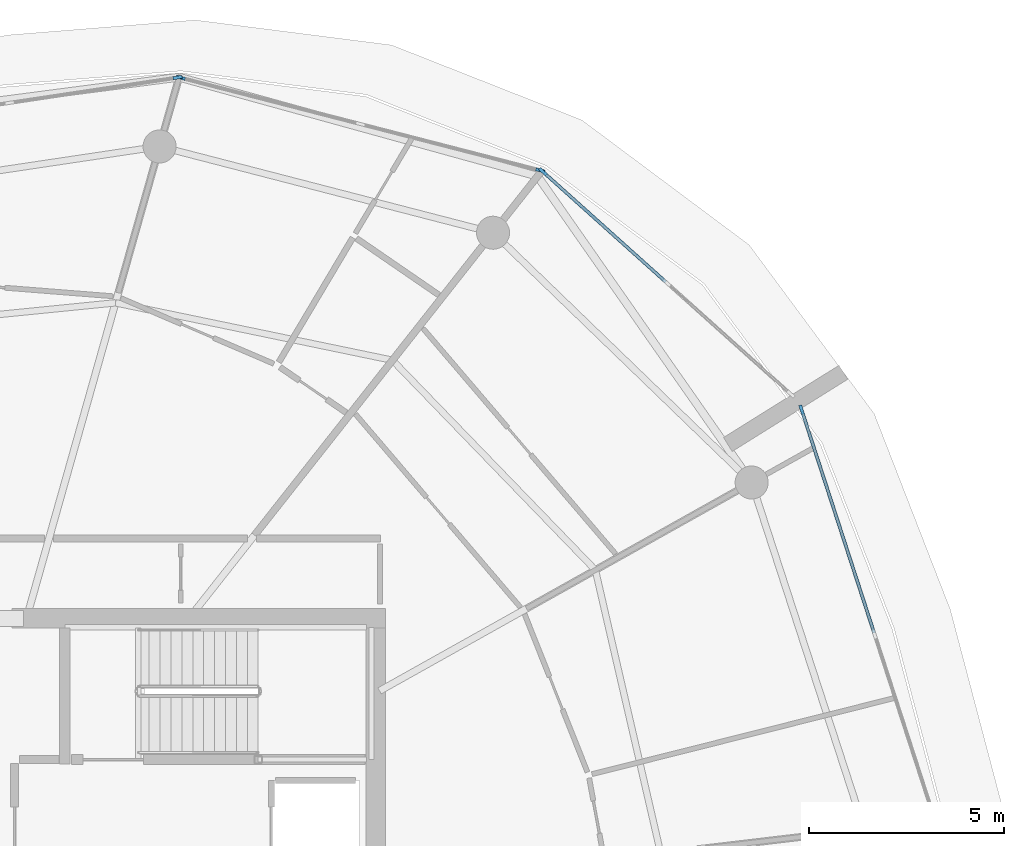
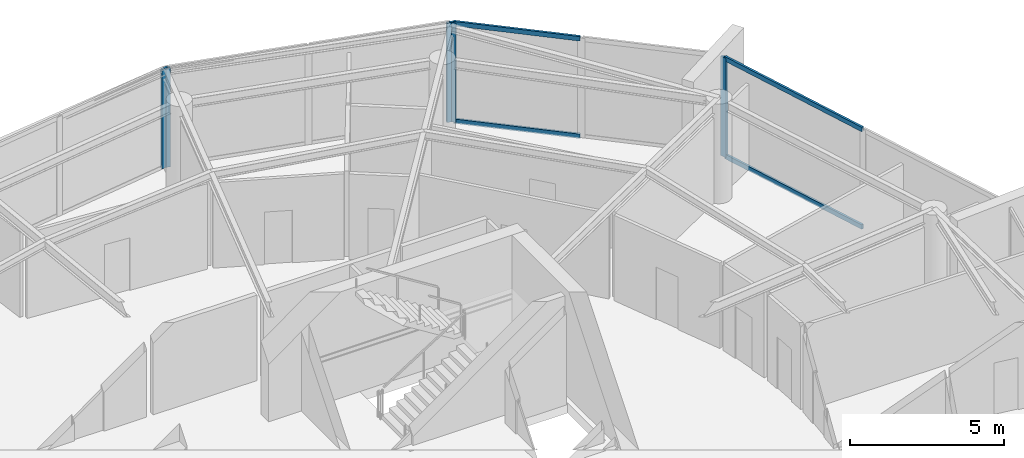
# One storey, part 9 of 16: 9 members, 4 elements without a shape of their own.
"""IFC4 building model written with IfcOpenShell, lengths in metres."""

from ifc_helpers import new_model, si_unit, direction, frame, origin, origin_2d, place, context, subcontext, project, spatial, rectangle, extrude, material, layer, layer_set, material_profile, profile_set, type_object, element, aggregate, save


model = new_model("IFC4")

# Units and contexts
model_context = context("Model", 3, precision=1e-05, world=origin(), true_north=direction((0.0, 1.0)))
body_context = subcontext(model_context, "Body", "Model", "MODEL_VIEW")
ifc_project = project(units=[si_unit("LENGTHUNIT", "METRE"), si_unit("AREAUNIT", "SQUARE_METRE"), si_unit("VOLUMEUNIT", "CUBIC_METRE"), si_unit("PLANEANGLEUNIT", "RADIAN"), si_unit("MASSUNIT", "GRAM", prefix="KILO")], contexts=[model_context])

# Site, building, storey
site_placement = place(None, origin())
site = spatial("IfcSite", under=ifc_project, at=site_placement, CompositionType="ELEMENT")
building_placement = place(site_placement, origin())
building = spatial("IfcBuilding", under=site, at=building_placement, Name="Kazma Halo Residences", CompositionType="ELEMENT")
storey_placement = place(building_placement, frame((0.0, 0.0, 313.699951171875)))
storey = spatial("IfcBuildingStorey", under=building, at=storey_placement, Name="L79", CompositionType="ELEMENT", Elevation=313.699951171875)

# Curtain wall, member
ifc_material_1 = material(Name="Aluminium AW-6063 T6 and Triple-Silver Low-E Glass", Category="aluminium")
ifc_layer = layer(ifc_material_1, 0.239990234375)
ifc_layer_set = layer_set([ifc_layer], Name="Aluminium AW-6063 T6 and Triple-Silver Low-E Glass")
curtain_wall_type = type_object("IfcCurtainWallType", Name="CW-SYS-6", PredefinedType="NOTDEFINED", material=ifc_layer_set)
curtain_wall_1_placement = place(storey_placement, origin())
curtain_wall_1 = element("IfcCurtainWall", 1, at=curtain_wall_1_placement, inside=storey, type_object=curtain_wall_type, Name="L79 unitised curtain wall B01", PredefinedType="NOTDEFINED")
ifc_material_2 = material(Name="Aluminium AW-6063 T6", Category="aluminium")
ifc_material_profile_1 = material_profile(ifc_material_2, rectangle(XDim=0.080078125, YDim=0.239990234375, at=origin_2d()), Name="CWM-80x240")
ifc_profile_set_1 = profile_set([ifc_material_profile_1], Name="Aluminium AW-6063 T6")
member_type_1 = type_object("IfcMemberType", Name="CW-SYS-6-MUL", PredefinedType="MULLION", material=ifc_profile_set_1)
member_1_placement = place(storey_placement, frame((63.60107421875, 61.7255859375, 0.0), z_axis=(0.0, 0.0, 1.0), x_axis=(-0.667757559118, -0.744378829791, 0.0)))
member_1 = element("IfcMember", 2, at=member_1_placement, type_object=member_type_1, Name="CWS-6 mullion 3", PredefinedType="MULLION", context=body_context, shape_type="SweptSolid", body=[
    extrude(rectangle(XDim=0.080078125, YDim=0.239990234375, at=origin_2d()), origin(), (0.0, 0.0, 1.0), 3.93994140625),
])

# Curtain wall, members
curtain_wall_2_placement = place(storey_placement, origin())
curtain_wall_2 = element("IfcCurtainWall", 3, at=curtain_wall_2_placement, inside=storey, type_object=curtain_wall_type, Name="L79 unitised curtain wall B02", PredefinedType="NOTDEFINED")
member_2_placement = place(storey_placement, frame((63.53271484375, 61.76220703125, 0.0), z_axis=(0.0, 0.0, 1.0), x_axis=(-0.249445747416, -0.968388774768, 0.0)))
member_2 = element("IfcMember", 4, at=member_2_placement, type_object=member_type_1, Name="CWS-6 mullion 1", PredefinedType="MULLION", context=body_context, shape_type="SweptSolid", body=[
    extrude(rectangle(XDim=0.080078125, YDim=0.239990234375, at=origin_2d()), origin(), (0.0, 0.0, 1.0), 3.93994140625),
])
member_3_placement = place(storey_placement, frame((54.28662109375, 64.143798828125, 0.0), z_axis=(0.0, 0.0, 1.0), x_axis=(-0.249445747416, -0.968388774768, 0.0)))
member_3 = element("IfcMember", 5, at=member_3_placement, type_object=member_type_1, Name="CWS-6 mullion 3", PredefinedType="MULLION", context=body_context, shape_type="SweptSolid", body=[
    extrude(rectangle(XDim=0.080078125, YDim=0.239990234375, at=origin_2d()), origin(), (0.0, 0.0, 1.0), 3.93994140625),
])
aggregate(curtain_wall_2, [member_2, member_3])

# Curtain wall, member
curtain_wall_3_placement = place(storey_placement, origin())
curtain_wall_3 = element("IfcCurtainWall", 6, at=curtain_wall_3_placement, inside=storey, type_object=curtain_wall_type, Name="L79 unitised curtain wall B03", PredefinedType="NOTDEFINED")
member_4_placement = place(storey_placement, frame((54.20849609375, 64.14794921875, 0.0), z_axis=(0.0, 0.0, 1.0), x_axis=(0.148870876743, -0.988856643836, 0.0)))
member_4 = element("IfcMember", 7, at=member_4_placement, type_object=member_type_1, Name="CWS-6 mullion 1", PredefinedType="MULLION", context=body_context, shape_type="SweptSolid", body=[
    extrude(rectangle(XDim=0.080078125, YDim=0.239990234375, at=origin_2d()), origin(), (0.0, 0.0, 1.0), 3.93994140625),
])
aggregate(curtain_wall_3, [member_4])

curtain_wall_4_placement = place(storey_placement, origin())
curtain_wall_4 = element("IfcCurtainWall", 8, at=curtain_wall_4_placement, inside=storey, type_object=curtain_wall_type, Name="L79 unitised curtain wall B16", PredefinedType="NOTDEFINED")
member_5_placement = place(storey_placement, frame((70.245849609375, 55.61328125, 0.0), z_axis=(0.0, 0.0, 1.0), x_axis=(-0.951055886462, -0.309018932797, 0.0)))
member_5 = element("IfcMember", 9, at=member_5_placement, type_object=member_type_1, Name="CWS-6 mullion 3", PredefinedType="MULLION", context=body_context, shape_type="SweptSolid", body=[
    extrude(rectangle(XDim=0.080078125, YDim=0.239990234375, at=origin_2d()), origin(), (0.0, 0.0, 1.0), 3.93994140625),
])

# Member
ifc_material_profile_2 = material_profile(ifc_material_2, rectangle(XDim=0.080078125, YDim=0.179931640625, at=origin_2d()), Name="CWT-80x180")
ifc_profile_set_2 = profile_set([ifc_material_profile_2], Name="Aluminium AW-6063 T6")
member_type_2 = type_object("IfcMemberType", Name="CW-SYS-6-TRN", PredefinedType="USERDEFINED", material=ifc_profile_set_2)
member_6_placement = place(storey_placement, frame((66.7548828125, 58.896484375, 0.0400390625), z_axis=(-0.744403905463, 0.667729605103, 0.0), x_axis=(-0.667729605103, -0.744403905463, 0.0)))
member_6 = element("IfcMember", 10, at=member_6_placement, type_object=member_type_2, Name="CWS-6 transom 2.1", ObjectType="TRANSOM", PredefinedType="USERDEFINED", context=body_context, shape_type="SweptSolid", body=[
    extrude(rectangle(XDim=0.080078125, YDim=0.179931640625, at=origin_2d()), origin(), (0.0, 0.0, 1.0), 4.19677734375),
])

member_7_placement = place(storey_placement, frame((66.7548828125, 58.896484375, 3.900146484375), z_axis=(-0.744403905463, 0.667729605103, 0.0), x_axis=(-0.667729605103, -0.744403905463, 0.0)))
member_7 = element("IfcMember", 11, at=member_7_placement, type_object=member_type_2, Name="CWS-6 transom 2.2", ObjectType="TRANSOM", PredefinedType="USERDEFINED", context=body_context, shape_type="SweptSolid", body=[
    extrude(rectangle(XDim=0.080078125, YDim=0.179931640625, at=origin_2d()), origin(), (0.0, 0.0, 1.0), 4.19677734375),
])

aggregate(curtain_wall_1, [member_1, member_6, member_7])

member_8_placement = place(storey_placement, frame((72.110107421875, 49.8759765625, 0.0400390625), z_axis=(-0.309019743831, 0.951055622938, 0.0), x_axis=(-0.951055622938, -0.309019743831, 0.0)))
member_8 = element("IfcMember", 12, at=member_8_placement, type_object=member_type_2, Name="CWS-6 transom 2.1", ObjectType="TRANSOM", PredefinedType="USERDEFINED", context=body_context, shape_type="SweptSolid", body=[
    extrude(rectangle(XDim=0.080078125, YDim=0.179931640625, at=origin_2d()), origin(), (0.0, 0.0, 1.0), 5.992431640625),
])

member_9_placement = place(storey_placement, frame((72.110107421875, 49.8759765625, 3.900146484375), z_axis=(-0.309019743831, 0.951055622938, 0.0), x_axis=(-0.951055622938, -0.309019743831, 0.0)))
member_9 = element("IfcMember", 13, at=member_9_placement, type_object=member_type_2, Name="CWS-6 transom 2.2", ObjectType="TRANSOM", PredefinedType="USERDEFINED", context=body_context, shape_type="SweptSolid", body=[
    extrude(rectangle(XDim=0.080078125, YDim=0.179931640625, at=origin_2d()), origin(), (0.0, 0.0, 1.0), 5.992431640625),
])

aggregate(curtain_wall_4, [member_5, member_8, member_9])

save(model, "model.ifc")
